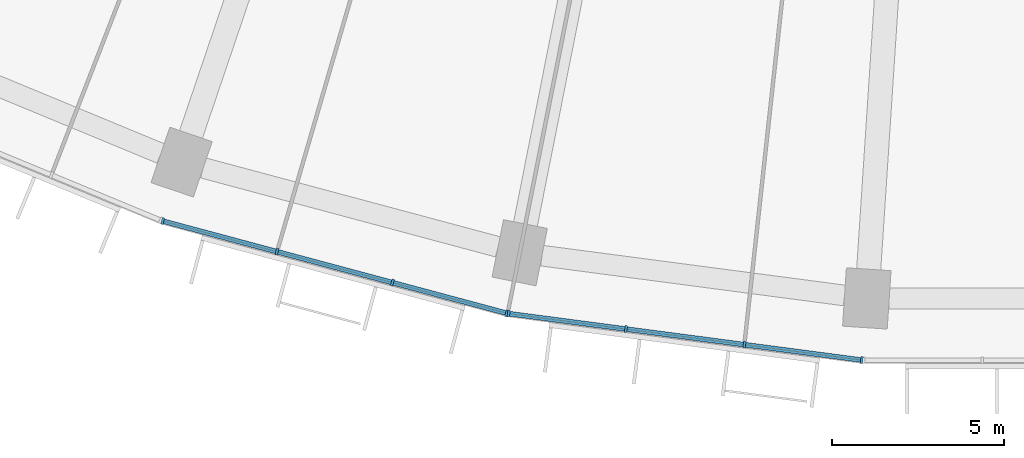
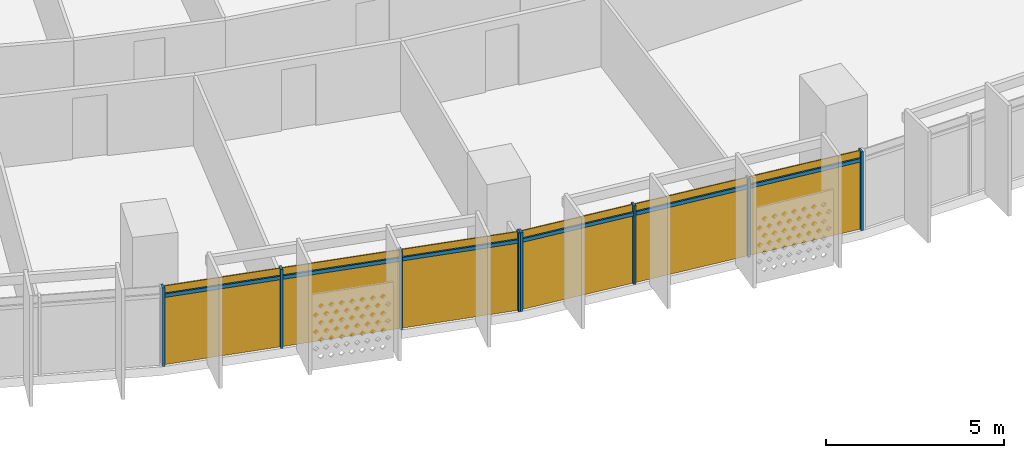
# One storey, part 19 of 31: 14 members, 2 curtain walls.
"""IFC4 building model written with IfcOpenShell, lengths in metres."""

import ifcopenshell
import ifcopenshell.guid

model = None  # the IFC model being written
_history = None  # IfcOwnerHistory: only IFC2X3 demands one
_inside = {}  # id of a spatial element -> (the spatial element, [elements in it])
_under = {}  # id of a project, library or spatial element -> (it, [spatial elements below it])
_declared = {}  # id of a project -> (the project, [libraries it declares])
_typed = {}  # id of a type object -> (the type object, [elements of that type])
_made_of = {}  # id of a material, layer set ... -> (it, [elements and type objects made of it])


def new_model(schema):
    """Start an empty IFC model of exactly this schema.

    Asked for "IFC4X3", IfcOpenShell would pick the latest addendum, in which some entities
    have other attributes; the version numbers below select the first issue.
    IFC2X3 requires an IfcOwnerHistory on every rooted entity: one is made here for all.
    """
    global model, _history
    if schema == "IFC4X3":
        model = ifcopenshell.file(schema_version=(4, 3, 0, 0))
    else:
        model = ifcopenshell.file(schema=schema)
    _inside.clear()
    _under.clear()
    _declared.clear()
    _typed.clear()
    _made_of.clear()
    _history = None
    if model.schema == "IFC2X3":
        org = make("IfcOrganization", Name="unknown")
        user = make(
            "IfcPersonAndOrganization",
            ThePerson=make("IfcPerson", FamilyName="unknown"),
            TheOrganization=org,
        )
        app = make(
            "IfcApplication",
            ApplicationDeveloper=org,
            Version="unknown",
            ApplicationFullName="unknown",
            ApplicationIdentifier="unknown",
        )
        _history = make(
            "IfcOwnerHistory",
            OwningUser=user,
            OwningApplication=app,
            ChangeAction="ADDED",
            CreationDate=0,
        )
    return model


def make(cls, **values):
    """One entity of the class cls with the attributes given. An attribute that is None is left unset."""
    return model.create_entity(
        cls, **{name: value for name, value in values.items() if value is not None}
    )


def rooted(cls, **values):
    """An entity with a GlobalId (a new one), such as an element, a storey or a relation."""
    return make(cls, GlobalId=ifcopenshell.guid.new(), OwnerHistory=_history, **values)


def si_unit(unit_type, name, prefix=None):
    """IfcSIUnit, for example si_unit("LENGTHUNIT", "METRE", prefix="MILLI")."""
    return make("IfcSIUnit", UnitType=unit_type, Prefix=prefix, Name=name)


def assignment(units):
    """IfcUnitAssignment: the units of a project."""
    return None if units is None else make("IfcUnitAssignment", Units=units)


def point(xyz):
    """IfcCartesianPoint."""
    return None if xyz is None else make("IfcCartesianPoint", Coordinates=xyz)


def direction(xyz):
    """IfcDirection."""
    return None if xyz is None else make("IfcDirection", DirectionRatios=xyz)


def frame(location, z_axis=None, x_axis=None):
    """IfcAxis2Placement3D, a coordinate frame: its origin and axes. An axis left out is left unset."""
    return make(
        "IfcAxis2Placement3D",
        Location=point(location),
        Axis=direction(z_axis),
        RefDirection=direction(x_axis),
    )


def frame_2d(location, x_axis=None):
    """IfcAxis2Placement2D, a coordinate frame in the plane: its origin and x axis."""
    return make(
        "IfcAxis2Placement2D", Location=point(location), RefDirection=direction(x_axis)
    )


def origin():
    """The frame at (0, 0, 0) with its axes left unset."""
    return frame((0.0, 0.0, 0.0))


def origin_2d():
    """The frame at (0, 0) in the plane with its x axis left unset."""
    return frame_2d((0.0, 0.0))


def place(relative_to, where):
    """IfcLocalPlacement: puts the frame where relative to a parent placement (None: the world)."""
    return make(
        "IfcLocalPlacement", PlacementRelTo=relative_to, RelativePlacement=where
    )


def context(
    kind, dimensions, precision=None, world=None, true_north=None, identifier=None
):
    """IfcGeometricRepresentationContext, for example the 3D "Model" context."""
    return make(
        "IfcGeometricRepresentationContext",
        ContextIdentifier=identifier,
        ContextType=kind,
        CoordinateSpaceDimension=dimensions,
        Precision=precision,
        WorldCoordinateSystem=world,
        TrueNorth=true_north,
    )


def subcontext(parent, identifier, kind, view, scale=None):
    """IfcGeometricRepresentationSubContext, for example "Body" below "Model"."""
    return make(
        "IfcGeometricRepresentationSubContext",
        ContextIdentifier=identifier,
        ContextType=kind,
        ParentContext=parent,
        TargetScale=scale,
        TargetView=view,
    )


def project(units=None, contexts=None):
    """IfcProject with its units and contexts."""
    return rooted(
        "IfcProject",
        Name="project",
        RepresentationContexts=contexts,
        UnitsInContext=assignment(units),
    )


def spatial(cls, under=None, at=None, **own):
    """A site, building, storey or space (cls), placed at a placement, below another one or the project."""
    s = rooted(cls, ObjectPlacement=at, **own)
    if under is not None:
        _under.setdefault(under.id(), (under, []))[1].append(s)
    return s


def profile(cls, at=None, kind="AREA", **sizes):
    """A parametric profile (cls). Its sizes go by their IFC names, for example OverallWidth=200.0."""
    return make(cls, ProfileType=kind, Position=at, **sizes)


def rectangle(**sizes):
    """IfcRectangleProfileDef."""
    return profile("IfcRectangleProfileDef", **sizes)


def extrude(swept, where, along, depth):
    """IfcExtrudedAreaSolid: the profile swept, set in the frame where, extruded along a direction by depth."""
    return make(
        "IfcExtrudedAreaSolid",
        SweptArea=swept,
        Position=where,
        ExtrudedDirection=direction(along),
        Depth=depth,
    )


def shape(context_of_items, identifier, shape_type, items):
    """IfcShapeRepresentation: the items that make up one representation, for example the "Body"."""
    return make(
        "IfcShapeRepresentation",
        ContextOfItems=context_of_items,
        RepresentationIdentifier=identifier,
        RepresentationType=shape_type,
        Items=items,
    )


def material(Name=None, Category=None):
    """IfcMaterial."""
    return make("IfcMaterial", Name=Name, Category=Category)


def material_profile(
    of_material, cross_section, Name=None, Category=None, Priority=None
):
    """IfcMaterialProfile: a cross section and its material."""
    return make(
        "IfcMaterialProfile",
        Name=Name,
        Material=of_material,
        Profile=cross_section,
        Priority=Priority,
        Category=Category,
    )


def profile_set(profiles, Name=None, composite=None):
    """IfcMaterialProfileSet."""
    return make(
        "IfcMaterialProfileSet",
        Name=Name,
        MaterialProfiles=profiles,
        CompositeProfile=composite,
    )


def made_of(thing, what):
    """Note that an element or type object is made of a material, layer set ...; save() writes the relation."""
    if what is not None:
        _made_of.setdefault(what.id(), (what, []))[1].append(thing)
    return thing


def type_object(cls, material=None, **own):
    """A type object (cls), such as IfcWallType, which elements share."""
    return made_of(rooted(cls, **own), material)


def element(
    cls,
    number,
    at=None,
    inside=None,
    cuts=None,
    type_object=None,
    material=None,
    context=None,
    identifier="Body",
    shape_type=None,
    held_by="IfcProductDefinitionShape",
    body=None,
    shapes=None,
    **own,
):
    """One element of the class cls, such as IfcWall. Its Tag is "e" and its number.

    at: its placement. inside: the storey or other place that contains it. cuts: it is an
    opening in that element (IfcRelVoidsElement). A single representation is given by context,
    identifier, shape_type and body (its items); several are given by shapes. held_by: the class
    of the entity that holds the representations. save() writes the other relations.
    """
    e = rooted(cls, Tag="e%d" % number, ObjectPlacement=at, **own)
    if body is not None:
        shapes = [shape(context, identifier, shape_type, body)]
    if shapes is not None:
        e.Representation = make(held_by, Representations=shapes)
    if inside is not None:
        _inside.setdefault(inside.id(), (inside, []))[1].append(e)
    if cuts is not None:
        rooted(
            "IfcRelVoidsElement", RelatingBuildingElement=cuts, RelatedOpeningElement=e
        )
    if type_object is not None:
        _typed.setdefault(type_object.id(), (type_object, []))[1].append(e)
    return made_of(e, material)


def aggregate(whole, parts):
    """IfcRelAggregates: a whole, such as a stair, and the parts it consists of."""
    return rooted("IfcRelAggregates", RelatingObject=whole, RelatedObjects=parts)


def save(model, path):
    """Write the relations noted so far, then the file.

    IfcRelAggregates (storeys below a building ...), IfcRelContainedInSpatialStructure (elements
    in a storey), IfcRelDefinesByType, IfcRelAssociatesMaterial and IfcRelDeclares: one each for
    every whole, place, type object, material and project.
    """
    for whole, parts in _under.values():
        aggregate(whole, parts)
    for where, things in _inside.values():
        rooted(
            "IfcRelContainedInSpatialStructure",
            RelatedElements=things,
            RelatingStructure=where,
        )
    for kind, things in _typed.values():
        rooted("IfcRelDefinesByType", RelatedObjects=things, RelatingType=kind)
    for what, things in _made_of.values():
        rooted("IfcRelAssociatesMaterial", RelatedObjects=things, RelatingMaterial=what)
    for by, libraries in _declared.values():
        rooted("IfcRelDeclares", RelatingContext=by, RelatedDefinitions=libraries)
    model.write(path)


model = new_model("IFC4")

# Units and contexts
model_context = context("Model", 3, precision=1e-05, world=origin(), true_north=direction((0.0, 1.0)))
body_context = subcontext(model_context, "Body", "Model", "MODEL_VIEW")
ifc_project = project(units=[si_unit("LENGTHUNIT", "METRE"), si_unit("AREAUNIT", "SQUARE_METRE"), si_unit("VOLUMEUNIT", "CUBIC_METRE"), si_unit("PLANEANGLEUNIT", "RADIAN"), si_unit("MASSUNIT", "GRAM", prefix="KILO")], contexts=[model_context])

# Member
ifc_material = material(Name="Aluminium 6063-T6 anodised", Category="aluminium")
ifc_material_profile_1 = material_profile(ifc_material, rectangle(XDim=0.199951171875, YDim=0.070068359375, at=origin_2d()))
ifc_profile_set_1 = profile_set([ifc_material_profile_1], Name="Aluminium 6063-T6 anodised")
member_type_1 = type_object("IfcMemberType", Name="Mullion 70 x 200 aluminium", PredefinedType="MULLION", material=ifc_profile_set_1)
site_placement = place(None, origin())
building_placement = place(site_placement, origin())
storey_placement = place(building_placement, frame((0.0, 0.0, 86.10009765625)))
member_1_placement = place(storey_placement, frame((-25.54296875, -75.33544921875, 0.0), z_axis=(0.0, 0.0, 1.0), x_axis=(0.258819045103, 0.965925826289, 0.0)))
member_1 = element("IfcMember", 1, at=member_1_placement, type_object=member_type_1, Name="e-cw1-L18-out06/M00", PredefinedType="MULLION", context=body_context, shape_type="SweptSolid", body=[
    extrude(rectangle(XDim=0.199951171875, YDim=0.070068359375, at=origin_2d()), origin(), (0.0, 0.0, 1.0), 2.699951171875),
])

member_2_placement = place(storey_placement, frame((-22.22216796875, -76.225341796875, 0.0), z_axis=(0.0, 0.0, 1.0), x_axis=(0.258819045103, 0.965925826289, 0.0)))
member_2 = element("IfcMember", 2, at=member_2_placement, type_object=member_type_1, Name="e-cw1-L18-out06/M01", PredefinedType="MULLION", context=body_context, shape_type="SweptSolid", body=[
    extrude(rectangle(XDim=0.199951171875, YDim=0.070068359375, at=origin_2d()), origin(), (0.0, 0.0, 1.0), 2.699951171875),
])

member_3_placement = place(storey_placement, frame((-18.86767578125, -77.1240234375, 0.0), z_axis=(0.0, 0.0, 1.0), x_axis=(0.258819045103, 0.965925826289, 0.0)))
member_3 = element("IfcMember", 3, at=member_3_placement, type_object=member_type_1, Name="e-cw1-L18-out06/M02", PredefinedType="MULLION", context=body_context, shape_type="SweptSolid", body=[
    extrude(rectangle(XDim=0.199951171875, YDim=0.070068359375, at=origin_2d()), origin(), (0.0, 0.0, 1.0), 2.699951171875),
])

member_4_placement = place(storey_placement, frame((-15.546875, -78.013916015625, 0.0), z_axis=(0.0, 0.0, 1.0), x_axis=(0.258819045103, 0.965925826289, 0.0)))
member_4 = element("IfcMember", 4, at=member_4_placement, type_object=member_type_1, Name="e-cw1-L18-out06/M03", PredefinedType="MULLION", context=body_context, shape_type="SweptSolid", body=[
    extrude(rectangle(XDim=0.199951171875, YDim=0.070068359375, at=origin_2d()), origin(), (0.0, 0.0, 1.0), 2.699951171875),
])

member_5_placement = place(storey_placement, frame((-15.4912109375, -78.02490234375, 0.0), z_axis=(0.0, 0.0, 1.0), x_axis=(0.13052619222, 0.991444861374, 0.0)))
member_5 = element("IfcMember", 5, at=member_5_placement, type_object=member_type_1, Name="e-cw1-L18-out07/M00", PredefinedType="MULLION", context=body_context, shape_type="SweptSolid", body=[
    extrude(rectangle(XDim=0.199951171875, YDim=0.070068359375, at=origin_2d()), origin(), (0.0, 0.0, 1.0), 2.699951171875),
])

member_6_placement = place(storey_placement, frame((-12.082763671875, -78.4736328125, 0.0), z_axis=(0.0, 0.0, 1.0), x_axis=(0.13052619222, 0.991444861374, 0.0)))
member_6 = element("IfcMember", 6, at=member_6_placement, type_object=member_type_1, Name="e-cw1-L18-out07/M01", PredefinedType="MULLION", context=body_context, shape_type="SweptSolid", body=[
    extrude(rectangle(XDim=0.199951171875, YDim=0.070068359375, at=origin_2d()), origin(), (0.0, 0.0, 1.0), 2.699951171875),
])

member_7_placement = place(storey_placement, frame((-8.639404296875, -78.927001953125, 0.0), z_axis=(0.0, 0.0, 1.0), x_axis=(0.13052619222, 0.991444861374, 0.0)))
member_7 = element("IfcMember", 7, at=member_7_placement, type_object=member_type_1, Name="e-cw1-L18-out07/M02", PredefinedType="MULLION", context=body_context, shape_type="SweptSolid", body=[
    extrude(rectangle(XDim=0.199951171875, YDim=0.070068359375, at=origin_2d()), origin(), (0.0, 0.0, 1.0), 2.699951171875),
])

member_8_placement = place(storey_placement, frame((-5.23095703125, -79.375732421875, 0.0), z_axis=(0.0, 0.0, 1.0), x_axis=(0.13052619222, 0.991444861374, 0.0)))
member_8 = element("IfcMember", 8, at=member_8_placement, type_object=member_type_1, Name="e-cw1-L18-out07/M03", PredefinedType="MULLION", context=body_context, shape_type="SweptSolid", body=[
    extrude(rectangle(XDim=0.199951171875, YDim=0.070068359375, at=origin_2d()), origin(), (0.0, 0.0, 1.0), 2.699951171875),
])

ifc_material_profile_2 = material_profile(ifc_material, rectangle(XDim=0.139892578125, YDim=0.1201171875, at=origin_2d()))
ifc_profile_set_2 = profile_set([ifc_material_profile_2], Name="Aluminium 6063-T6 anodised")
member_type_2 = type_object("IfcMemberType", Name="Transom 120 x 140 aluminium", PredefinedType="USERDEFINED", material=ifc_profile_set_2)
member_9_placement = place(storey_placement, frame((-25.50927734375, -75.344482421875, 2.39990234375), z_axis=(0.965915368772, -0.258858069935, 0.0), x_axis=(0.258858069935, 0.965915368772, 0.0)))
member_9 = element("IfcMember", 9, at=member_9_placement, type_object=member_type_2, Name="e-cw1-L18-out06/T00", ObjectType="TRANSOM", PredefinedType="USERDEFINED", context=body_context, shape_type="SweptSolid", body=[
    extrude(rectangle(XDim=0.139892578125, YDim=0.1201171875, at=origin_2d()), origin(), (0.0, 0.0, 1.0), 3.367919921875),
])

member_10_placement = place(storey_placement, frame((-22.1884765625, -76.234375, 2.39990234375), z_axis=(0.965937804901, -0.258774336176, 0.0), x_axis=(0.258774336176, 0.965937804901, 0.0)))
member_10 = element("IfcMember", 10, at=member_10_placement, type_object=member_type_2, Name="e-cw1-L18-out06/T01", ObjectType="TRANSOM", PredefinedType="USERDEFINED", context=body_context, shape_type="SweptSolid", body=[
    extrude(rectangle(XDim=0.139892578125, YDim=0.1201171875, at=origin_2d()), origin(), (0.0, 0.0, 1.0), 3.403076171875),
])

member_11_placement = place(storey_placement, frame((-18.833740234375, -77.133056640625, 2.39990234375), z_axis=(0.965915368772, -0.258858069935, 0.0), x_axis=(0.258858069935, 0.965915368772, 0.0)))
member_11 = element("IfcMember", 11, at=member_11_placement, type_object=member_type_2, Name="e-cw1-L18-out06/T02", ObjectType="TRANSOM", PredefinedType="USERDEFINED", context=body_context, shape_type="SweptSolid", body=[
    extrude(rectangle(XDim=0.139892578125, YDim=0.1201171875, at=origin_2d()), origin(), (0.0, 0.0, 1.0), 3.367919921875),
])

member_12_placement = place(storey_placement, frame((-15.45654296875, -78.029541015625, 2.39990234375), z_axis=(0.9914412138, -0.130553895303, 0.0), x_axis=(0.130553895303, 0.9914412138, 0.0)))
member_12 = element("IfcMember", 12, at=member_12_placement, type_object=member_type_2, Name="e-cw1-L18-out07/T00", ObjectType="TRANSOM", PredefinedType="USERDEFINED", context=body_context, shape_type="SweptSolid", body=[
    extrude(rectangle(XDim=0.139892578125, YDim=0.1201171875, at=origin_2d()), origin(), (0.0, 0.0, 1.0), 3.367919921875),
])

member_13_placement = place(storey_placement, frame((-12.048095703125, -78.478271484375, 2.39990234375), z_axis=(0.991447700941, -0.130504621753, 0.0), x_axis=(0.130504621753, 0.991447700941, 0.0)))
member_13 = element("IfcMember", 13, at=member_13_placement, type_object=member_type_2, Name="e-cw1-L18-out07/T01", ObjectType="TRANSOM", PredefinedType="USERDEFINED", context=body_context, shape_type="SweptSolid", body=[
    extrude(rectangle(XDim=0.139892578125, YDim=0.1201171875, at=origin_2d()), origin(), (0.0, 0.0, 1.0), 3.40283203125),
])

member_14_placement = place(storey_placement, frame((-8.604736328125, -78.931640625, 2.39990234375), z_axis=(0.991450594138, -0.130482640159, 0.0), x_axis=(0.130482640159, 0.991450594138, 0.0)))
member_14 = element("IfcMember", 14, at=member_14_placement, type_object=member_type_2, Name="e-cw1-L18-out07/T02", ObjectType="TRANSOM", PredefinedType="USERDEFINED", context=body_context, shape_type="SweptSolid", body=[
    extrude(rectangle(XDim=0.139892578125, YDim=0.1201171875, at=origin_2d()), origin(), (0.0, 0.0, 1.0), 3.367919921875),
])

# Site, building, storey
site = spatial("IfcSite", under=ifc_project, at=site_placement, CompositionType="ELEMENT")
building = spatial("IfcBuilding", under=site, at=building_placement, Name="Qamariyya Broadcast Tower", CompositionType="ELEMENT")
storey = spatial("IfcBuildingStorey", under=building, at=storey_placement, Name="L18", CompositionType="ELEMENT", Elevation=86.10009765625)

# Curtain wall
curtain_wall_type = type_object("IfcCurtainWallType", Name="Unitised curtain wall, anodised aluminium", PredefinedType="NOTDEFINED", material=ifc_material)
curtain_wall_1_placement = place(storey_placement, origin())
curtain_wall_1 = element("IfcCurtainWall", 15, at=curtain_wall_1_placement, inside=storey, type_object=curtain_wall_type, Name="e-cw1-L18-out06", PredefinedType="NOTDEFINED", context=body_context, shape_type="SweptSolid", body=[
    extrude(rectangle(XDim=3.367919921875, YDim=0.031982421875, at=origin_2d()), frame((-23.882568359375, -75.7802734375, 0.0), x_axis=(0.965925039578, -0.258821981129, 0.0)), (0.0, 0.0, 1.0), 2.340087890625),
    extrude(rectangle(XDim=3.367919921875, YDim=0.031982421875, at=origin_2d()), frame((-23.882568359375, -75.7802734375, 2.4599609375), x_axis=(0.965925039578, -0.258821981129, 0.0)), (0.0, 0.0, 1.0), 0.239990234375),
    extrude(rectangle(XDim=3.40283203125, YDim=0.031982421875, at=origin_2d()), frame((-20.544921875, -76.6748046875, 0.0), x_axis=(0.965925039578, -0.258821981129, 0.0)), (0.0, 0.0, 1.0), 2.340087890625),
    extrude(rectangle(XDim=3.40283203125, YDim=0.031982421875, at=origin_2d()), frame((-20.544921875, -76.6748046875, 2.4599609375), x_axis=(0.965925039578, -0.258821981129, 0.0)), (0.0, 0.0, 1.0), 0.239990234375),
    extrude(rectangle(XDim=3.367919921875, YDim=0.031982421875, at=origin_2d()), frame((-17.207275390625, -77.569091796875, 0.0), x_axis=(0.965925039578, -0.258821981129, 0.0)), (0.0, 0.0, 1.0), 2.340087890625),
    extrude(rectangle(XDim=3.367919921875, YDim=0.031982421875, at=origin_2d()), frame((-17.207275390625, -77.569091796875, 2.4599609375), x_axis=(0.965925039578, -0.258821981129, 0.0)), (0.0, 0.0, 1.0), 0.239990234375),
])

aggregate(curtain_wall_1, [member_1, member_2, member_3, member_4, member_9, member_10, member_11])

curtain_wall_2_placement = place(storey_placement, origin())
curtain_wall_2 = element("IfcCurtainWall", 16, at=curtain_wall_2_placement, inside=storey, type_object=curtain_wall_type, Name="e-cw1-L18-out07", PredefinedType="NOTDEFINED", context=body_context, shape_type="SweptSolid", body=[
    extrude(rectangle(XDim=3.367919921875, YDim=0.031982421875, at=origin_2d()), frame((-13.786865234375, -78.24951171875, 0.0), x_axis=(0.991445519925, -0.130521189931, 0.0)), (0.0, 0.0, 1.0), 2.340087890625),
    extrude(rectangle(XDim=3.367919921875, YDim=0.031982421875, at=origin_2d()), frame((-13.786865234375, -78.24951171875, 2.4599609375), x_axis=(0.991445519925, -0.130521189931, 0.0)), (0.0, 0.0, 1.0), 0.239990234375),
    extrude(rectangle(XDim=3.40283203125, YDim=0.031982421875, at=origin_2d()), frame((-10.361083984375, -78.700439453125, 0.0), x_axis=(0.991445519925, -0.130521189931, 0.0)), (0.0, 0.0, 1.0), 2.340087890625),
    extrude(rectangle(XDim=3.40283203125, YDim=0.031982421875, at=origin_2d()), frame((-10.361083984375, -78.700439453125, 2.4599609375), x_axis=(0.991445519925, -0.130521189931, 0.0)), (0.0, 0.0, 1.0), 0.239990234375),
    extrude(rectangle(XDim=3.367919921875, YDim=0.031982421875, at=origin_2d()), frame((-6.935302734375, -79.1513671875, 0.0), x_axis=(0.991445519925, -0.130521189931, 0.0)), (0.0, 0.0, 1.0), 2.340087890625),
    extrude(rectangle(XDim=3.367919921875, YDim=0.031982421875, at=origin_2d()), frame((-6.935302734375, -79.1513671875, 2.4599609375), x_axis=(0.991445519925, -0.130521189931, 0.0)), (0.0, 0.0, 1.0), 0.239990234375),
])

aggregate(curtain_wall_2, [member_5, member_6, member_7, member_8, member_12, member_13, member_14])

save(model, "model.ifc")
